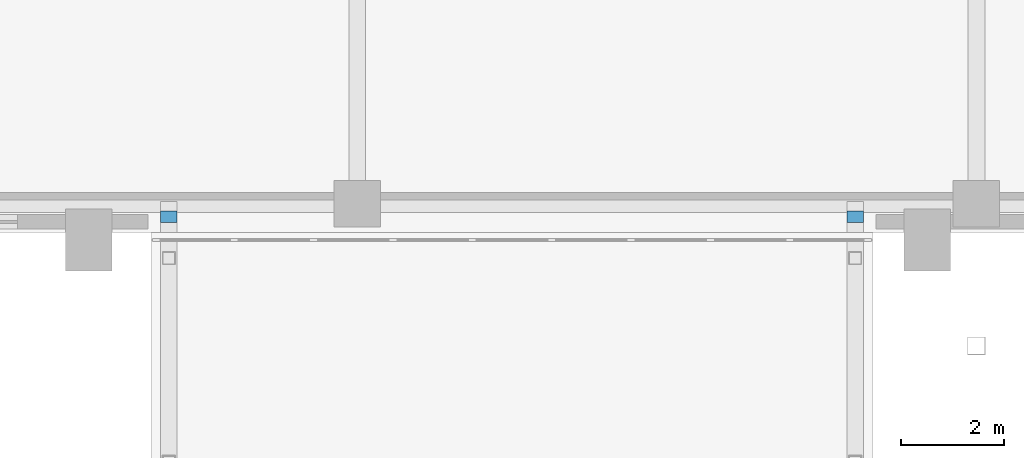
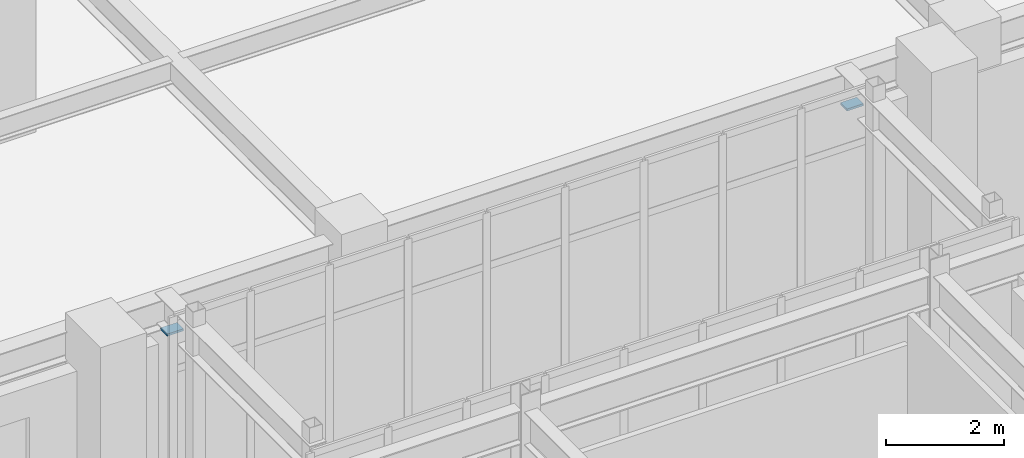
# One storey, part 143 of 159: 2 discrete accessories.
"""IFC4 building model written with IfcOpenShell, lengths in metres."""

import ifcopenshell
import ifcopenshell.guid

model = None  # the IFC model being written
_history = None  # IfcOwnerHistory: only IFC2X3 demands one
_inside = {}  # id of a spatial element -> (the spatial element, [elements in it])
_under = {}  # id of a project, library or spatial element -> (it, [spatial elements below it])
_declared = {}  # id of a project -> (the project, [libraries it declares])
_typed = {}  # id of a type object -> (the type object, [elements of that type])
_made_of = {}  # id of a material, layer set ... -> (it, [elements and type objects made of it])


def new_model(schema):
    """Start an empty IFC model of exactly this schema.

    Asked for "IFC4X3", IfcOpenShell would pick the latest addendum, in which some entities
    have other attributes; the version numbers below select the first issue.
    IFC2X3 requires an IfcOwnerHistory on every rooted entity: one is made here for all.
    """
    global model, _history
    if schema == "IFC4X3":
        model = ifcopenshell.file(schema_version=(4, 3, 0, 0))
    else:
        model = ifcopenshell.file(schema=schema)
    _inside.clear()
    _under.clear()
    _declared.clear()
    _typed.clear()
    _made_of.clear()
    _history = None
    if model.schema == "IFC2X3":
        org = make("IfcOrganization", Name="unknown")
        user = make(
            "IfcPersonAndOrganization",
            ThePerson=make("IfcPerson", FamilyName="unknown"),
            TheOrganization=org,
        )
        app = make(
            "IfcApplication",
            ApplicationDeveloper=org,
            Version="unknown",
            ApplicationFullName="unknown",
            ApplicationIdentifier="unknown",
        )
        _history = make(
            "IfcOwnerHistory",
            OwningUser=user,
            OwningApplication=app,
            ChangeAction="ADDED",
            CreationDate=0,
        )
    return model


def make(cls, **values):
    """One entity of the class cls with the attributes given. An attribute that is None is left unset."""
    return model.create_entity(
        cls, **{name: value for name, value in values.items() if value is not None}
    )


def rooted(cls, **values):
    """An entity with a GlobalId (a new one), such as an element, a storey or a relation."""
    return make(cls, GlobalId=ifcopenshell.guid.new(), OwnerHistory=_history, **values)


def si_unit(unit_type, name, prefix=None):
    """IfcSIUnit, for example si_unit("LENGTHUNIT", "METRE", prefix="MILLI")."""
    return make("IfcSIUnit", UnitType=unit_type, Prefix=prefix, Name=name)


def derived_unit(unit_type, elements):
    """IfcDerivedUnit: a product of units, each with its exponent."""
    return make(
        "IfcDerivedUnit",
        Elements=[
            make("IfcDerivedUnitElement", Unit=unit, Exponent=power)
            for unit, power in elements
        ],
        UnitType=unit_type,
    )


def assignment(units):
    """IfcUnitAssignment: the units of a project."""
    return None if units is None else make("IfcUnitAssignment", Units=units)


def point(xyz):
    """IfcCartesianPoint."""
    return None if xyz is None else make("IfcCartesianPoint", Coordinates=xyz)


def direction(xyz):
    """IfcDirection."""
    return None if xyz is None else make("IfcDirection", DirectionRatios=xyz)


def frame(location, z_axis=None, x_axis=None):
    """IfcAxis2Placement3D, a coordinate frame: its origin and axes. An axis left out is left unset."""
    return make(
        "IfcAxis2Placement3D",
        Location=point(location),
        Axis=direction(z_axis),
        RefDirection=direction(x_axis),
    )


def frame_2d(location, x_axis=None):
    """IfcAxis2Placement2D, a coordinate frame in the plane: its origin and x axis."""
    return make(
        "IfcAxis2Placement2D", Location=point(location), RefDirection=direction(x_axis)
    )


def origin():
    """The frame at (0, 0, 0) with its axes left unset."""
    return frame((0.0, 0.0, 0.0))


def origin_2d():
    """The frame at (0, 0) in the plane with its x axis left unset."""
    return frame_2d((0.0, 0.0))


def place(relative_to, where):
    """IfcLocalPlacement: puts the frame where relative to a parent placement (None: the world)."""
    return make(
        "IfcLocalPlacement", PlacementRelTo=relative_to, RelativePlacement=where
    )


def context(
    kind, dimensions, precision=None, world=None, true_north=None, identifier=None
):
    """IfcGeometricRepresentationContext, for example the 3D "Model" context."""
    return make(
        "IfcGeometricRepresentationContext",
        ContextIdentifier=identifier,
        ContextType=kind,
        CoordinateSpaceDimension=dimensions,
        Precision=precision,
        WorldCoordinateSystem=world,
        TrueNorth=true_north,
    )


def subcontext(parent, identifier, kind, view, scale=None):
    """IfcGeometricRepresentationSubContext, for example "Body" below "Model"."""
    return make(
        "IfcGeometricRepresentationSubContext",
        ContextIdentifier=identifier,
        ContextType=kind,
        ParentContext=parent,
        TargetScale=scale,
        TargetView=view,
    )


def project(units=None, contexts=None):
    """IfcProject with its units and contexts."""
    return rooted(
        "IfcProject",
        Name="project",
        RepresentationContexts=contexts,
        UnitsInContext=assignment(units),
    )


def spatial(cls, under=None, at=None, **own):
    """A site, building, storey or space (cls), placed at a placement, below another one or the project."""
    s = rooted(cls, ObjectPlacement=at, **own)
    if under is not None:
        _under.setdefault(under.id(), (under, []))[1].append(s)
    return s


def profile(cls, at=None, kind="AREA", **sizes):
    """A parametric profile (cls). Its sizes go by their IFC names, for example OverallWidth=200.0."""
    return make(cls, ProfileType=kind, Position=at, **sizes)


def rectangle(**sizes):
    """IfcRectangleProfileDef."""
    return profile("IfcRectangleProfileDef", **sizes)


def extrude(swept, where, along, depth):
    """IfcExtrudedAreaSolid: the profile swept, set in the frame where, extruded along a direction by depth."""
    return make(
        "IfcExtrudedAreaSolid",
        SweptArea=swept,
        Position=where,
        ExtrudedDirection=direction(along),
        Depth=depth,
    )


def shape(context_of_items, identifier, shape_type, items):
    """IfcShapeRepresentation: the items that make up one representation, for example the "Body"."""
    return make(
        "IfcShapeRepresentation",
        ContextOfItems=context_of_items,
        RepresentationIdentifier=identifier,
        RepresentationType=shape_type,
        Items=items,
    )


def material(Name=None, Category=None):
    """IfcMaterial."""
    return make("IfcMaterial", Name=Name, Category=Category)


def layer(
    of_material, thickness, ventilated=None, Name=None, Category=None, Priority=None
):
    """IfcMaterialLayer: one layer of a wall or slab, of a material (None: an air gap)."""
    return make(
        "IfcMaterialLayer",
        Material=of_material,
        LayerThickness=thickness,
        IsVentilated=ventilated,
        Name=Name,
        Category=Category,
        Priority=Priority,
    )


def layer_set(layers, Name=None):
    """IfcMaterialLayerSet."""
    return make("IfcMaterialLayerSet", MaterialLayers=layers, LayerSetName=Name)


def made_of(thing, what):
    """Note that an element or type object is made of a material, layer set ...; save() writes the relation."""
    if what is not None:
        _made_of.setdefault(what.id(), (what, []))[1].append(thing)
    return thing


def type_object(cls, material=None, **own):
    """A type object (cls), such as IfcWallType, which elements share."""
    return made_of(rooted(cls, **own), material)


def element(
    cls,
    number,
    at=None,
    inside=None,
    cuts=None,
    type_object=None,
    material=None,
    context=None,
    identifier="Body",
    shape_type=None,
    held_by="IfcProductDefinitionShape",
    body=None,
    shapes=None,
    **own,
):
    """One element of the class cls, such as IfcWall. Its Tag is "e" and its number.

    at: its placement. inside: the storey or other place that contains it. cuts: it is an
    opening in that element (IfcRelVoidsElement). A single representation is given by context,
    identifier, shape_type and body (its items); several are given by shapes. held_by: the class
    of the entity that holds the representations. save() writes the other relations.
    """
    e = rooted(cls, Tag="e%d" % number, ObjectPlacement=at, **own)
    if body is not None:
        shapes = [shape(context, identifier, shape_type, body)]
    if shapes is not None:
        e.Representation = make(held_by, Representations=shapes)
    if inside is not None:
        _inside.setdefault(inside.id(), (inside, []))[1].append(e)
    if cuts is not None:
        rooted(
            "IfcRelVoidsElement", RelatingBuildingElement=cuts, RelatedOpeningElement=e
        )
    if type_object is not None:
        _typed.setdefault(type_object.id(), (type_object, []))[1].append(e)
    return made_of(e, material)


def aggregate(whole, parts):
    """IfcRelAggregates: a whole, such as a stair, and the parts it consists of."""
    return rooted("IfcRelAggregates", RelatingObject=whole, RelatedObjects=parts)


def save(model, path):
    """Write the relations noted so far, then the file.

    IfcRelAggregates (storeys below a building ...), IfcRelContainedInSpatialStructure (elements
    in a storey), IfcRelDefinesByType, IfcRelAssociatesMaterial and IfcRelDeclares: one each for
    every whole, place, type object, material and project.
    """
    for whole, parts in _under.values():
        aggregate(whole, parts)
    for where, things in _inside.values():
        rooted(
            "IfcRelContainedInSpatialStructure",
            RelatedElements=things,
            RelatingStructure=where,
        )
    for kind, things in _typed.values():
        rooted("IfcRelDefinesByType", RelatedObjects=things, RelatingType=kind)
    for what, things in _made_of.values():
        rooted("IfcRelAssociatesMaterial", RelatedObjects=things, RelatingMaterial=what)
    for by, libraries in _declared.values():
        rooted("IfcRelDeclares", RelatingContext=by, RelatedDefinitions=libraries)
    model.write(path)


model = new_model("IFC4")

# Units and contexts
model_context = context("Model", 3, precision=1e-05, world=origin(), true_north=direction((0.0, 1.0)))
body_context = subcontext(model_context, "Body", "Model", "MODEL_VIEW")
ifc_project = project(units=[si_unit("LENGTHUNIT", "METRE"), si_unit("AREAUNIT", "SQUARE_METRE"), si_unit("VOLUMEUNIT", "CUBIC_METRE"), si_unit("PLANEANGLEUNIT", "RADIAN"), si_unit("MASSUNIT", "GRAM", prefix="KILO"), derived_unit("THERMALTRANSMITTANCEUNIT", [(si_unit("MASSUNIT", "GRAM", prefix="KILO"), 1), (si_unit("TIMEUNIT", "SECOND"), -3), (si_unit("THERMODYNAMICTEMPERATUREUNIT", "KELVIN"), -1)])], contexts=[model_context])

# Site, building, storey
site_placement = place(None, origin())
site = spatial("IfcSite", under=ifc_project, at=site_placement, CompositionType="ELEMENT")
building_placement = place(site_placement, origin())
building = spatial("IfcBuilding", under=site, at=building_placement, Name="Valcora Ridge Arena", CompositionType="ELEMENT")
storey_placement = place(building_placement, frame((0.0, 0.0, 6.0)))
storey = spatial("IfcBuildingStorey", under=building, at=storey_placement, Name="L01", CompositionType="ELEMENT", Elevation=6.0)

# Discrete accessories
ifc_material = material(Name="Steel ASTM A572 Grade 50", Category="steel")
ifc_layer = layer(ifc_material, 0.044921875, Name="Steel ASTM A572 Grade 50")
ifc_layer_set = layer_set([ifc_layer], Name="Steel ASTM A572 Grade 50")
discrete_accessory_type = type_object("IfcDiscreteAccessoryType", Name="TY-DISCRETEACCESSORY-BRG-PTFE-220", PredefinedType="BRACKET", material=ifc_layer_set)
for number, where, z_axis, x_axis, name in (
    (1, (164.35009765625, 83.449951171875, 4.423095703125), (0.0, 0.0, 1.0), (1.0, 0.0, 0.0), "BRG-PTFE-220 ACC-BRG-0007"),
    (2, (177.64990234375, 83.449951171875, 4.423095703125), (0.0, 0.0, 1.0), (1.0, 0.0, 0.0), "BRG-PTFE-220 ACC-BRG-0008"),
):
    element("IfcDiscreteAccessory", number, at=place(storey_placement, frame(where, z_axis=z_axis, x_axis=x_axis)), inside=storey, type_object=discrete_accessory_type, Name=name, PredefinedType="BRACKET", context=body_context, shape_type="SweptSolid", body=[
        extrude(rectangle(XDim=0.320068359375, YDim=0.219970703125, at=origin_2d()), origin(), (0.0, 0.0, 1.0), 0.044921875),
    ])

save(model, "model.ifc")
